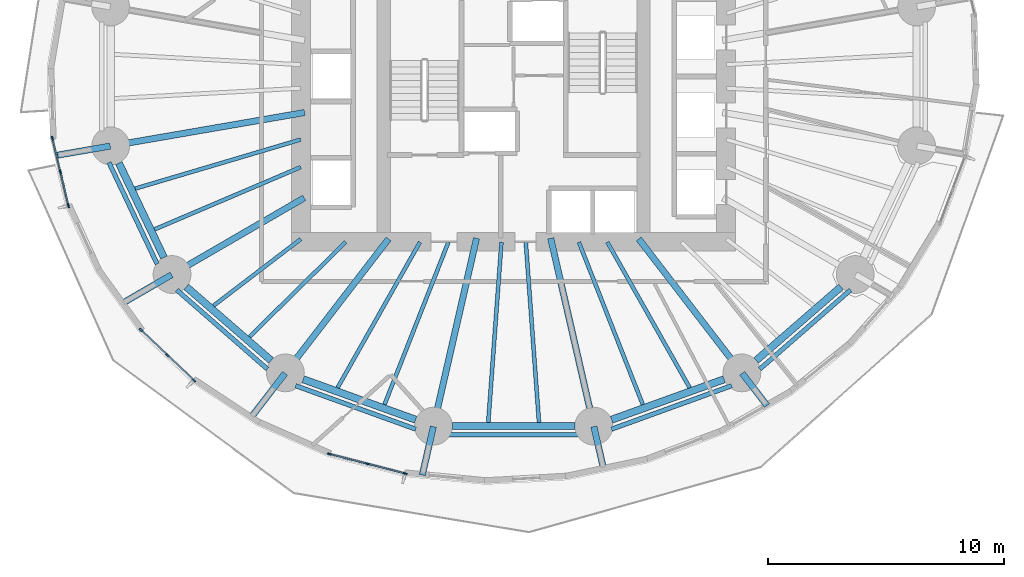
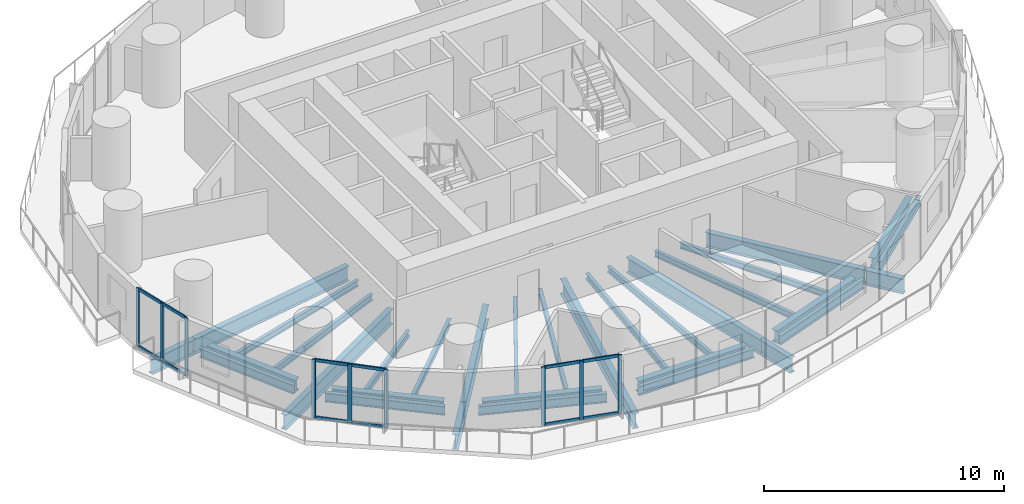
# One storey, part 2 of 14: 34 beams, 21 members, 3 elements without a shape of their own.
"""IFC4 building model written with IfcOpenShell, lengths in metres."""

import ifcopenshell
import ifcopenshell.guid

model = None  # the IFC model being written
_history = None  # IfcOwnerHistory: only IFC2X3 demands one
_inside = {}  # id of a spatial element -> (the spatial element, [elements in it])
_under = {}  # id of a project, library or spatial element -> (it, [spatial elements below it])
_declared = {}  # id of a project -> (the project, [libraries it declares])
_typed = {}  # id of a type object -> (the type object, [elements of that type])
_made_of = {}  # id of a material, layer set ... -> (it, [elements and type objects made of it])


def new_model(schema):
    """Start an empty IFC model of exactly this schema.

    Asked for "IFC4X3", IfcOpenShell would pick the latest addendum, in which some entities
    have other attributes; the version numbers below select the first issue.
    IFC2X3 requires an IfcOwnerHistory on every rooted entity: one is made here for all.
    """
    global model, _history
    if schema == "IFC4X3":
        model = ifcopenshell.file(schema_version=(4, 3, 0, 0))
    else:
        model = ifcopenshell.file(schema=schema)
    _inside.clear()
    _under.clear()
    _declared.clear()
    _typed.clear()
    _made_of.clear()
    _history = None
    if model.schema == "IFC2X3":
        org = make("IfcOrganization", Name="unknown")
        user = make(
            "IfcPersonAndOrganization",
            ThePerson=make("IfcPerson", FamilyName="unknown"),
            TheOrganization=org,
        )
        app = make(
            "IfcApplication",
            ApplicationDeveloper=org,
            Version="unknown",
            ApplicationFullName="unknown",
            ApplicationIdentifier="unknown",
        )
        _history = make(
            "IfcOwnerHistory",
            OwningUser=user,
            OwningApplication=app,
            ChangeAction="ADDED",
            CreationDate=0,
        )
    return model


def make(cls, **values):
    """One entity of the class cls with the attributes given. An attribute that is None is left unset."""
    return model.create_entity(
        cls, **{name: value for name, value in values.items() if value is not None}
    )


def rooted(cls, **values):
    """An entity with a GlobalId (a new one), such as an element, a storey or a relation."""
    return make(cls, GlobalId=ifcopenshell.guid.new(), OwnerHistory=_history, **values)


def si_unit(unit_type, name, prefix=None):
    """IfcSIUnit, for example si_unit("LENGTHUNIT", "METRE", prefix="MILLI")."""
    return make("IfcSIUnit", UnitType=unit_type, Prefix=prefix, Name=name)


def assignment(units):
    """IfcUnitAssignment: the units of a project."""
    return None if units is None else make("IfcUnitAssignment", Units=units)


def point(xyz):
    """IfcCartesianPoint."""
    return None if xyz is None else make("IfcCartesianPoint", Coordinates=xyz)


def direction(xyz):
    """IfcDirection."""
    return None if xyz is None else make("IfcDirection", DirectionRatios=xyz)


def frame(location, z_axis=None, x_axis=None):
    """IfcAxis2Placement3D, a coordinate frame: its origin and axes. An axis left out is left unset."""
    return make(
        "IfcAxis2Placement3D",
        Location=point(location),
        Axis=direction(z_axis),
        RefDirection=direction(x_axis),
    )


def frame_2d(location, x_axis=None):
    """IfcAxis2Placement2D, a coordinate frame in the plane: its origin and x axis."""
    return make(
        "IfcAxis2Placement2D", Location=point(location), RefDirection=direction(x_axis)
    )


def origin():
    """The frame at (0, 0, 0) with its axes left unset."""
    return frame((0.0, 0.0, 0.0))


def origin_2d():
    """The frame at (0, 0) in the plane with its x axis left unset."""
    return frame_2d((0.0, 0.0))


def place(relative_to, where):
    """IfcLocalPlacement: puts the frame where relative to a parent placement (None: the world)."""
    return make(
        "IfcLocalPlacement", PlacementRelTo=relative_to, RelativePlacement=where
    )


def context(
    kind, dimensions, precision=None, world=None, true_north=None, identifier=None
):
    """IfcGeometricRepresentationContext, for example the 3D "Model" context."""
    return make(
        "IfcGeometricRepresentationContext",
        ContextIdentifier=identifier,
        ContextType=kind,
        CoordinateSpaceDimension=dimensions,
        Precision=precision,
        WorldCoordinateSystem=world,
        TrueNorth=true_north,
    )


def subcontext(parent, identifier, kind, view, scale=None):
    """IfcGeometricRepresentationSubContext, for example "Body" below "Model"."""
    return make(
        "IfcGeometricRepresentationSubContext",
        ContextIdentifier=identifier,
        ContextType=kind,
        ParentContext=parent,
        TargetScale=scale,
        TargetView=view,
    )


def project(units=None, contexts=None):
    """IfcProject with its units and contexts."""
    return rooted(
        "IfcProject",
        Name="project",
        RepresentationContexts=contexts,
        UnitsInContext=assignment(units),
    )


def spatial(cls, under=None, at=None, **own):
    """A site, building, storey or space (cls), placed at a placement, below another one or the project."""
    s = rooted(cls, ObjectPlacement=at, **own)
    if under is not None:
        _under.setdefault(under.id(), (under, []))[1].append(s)
    return s


def profile(cls, at=None, kind="AREA", **sizes):
    """A parametric profile (cls). Its sizes go by their IFC names, for example OverallWidth=200.0."""
    return make(cls, ProfileType=kind, Position=at, **sizes)


def rectangle(**sizes):
    """IfcRectangleProfileDef."""
    return profile("IfcRectangleProfileDef", **sizes)


def i_section(**sizes):
    """IfcIShapeProfileDef."""
    return profile("IfcIShapeProfileDef", **sizes)


def extrude(swept, where, along, depth):
    """IfcExtrudedAreaSolid: the profile swept, set in the frame where, extruded along a direction by depth."""
    return make(
        "IfcExtrudedAreaSolid",
        SweptArea=swept,
        Position=where,
        ExtrudedDirection=direction(along),
        Depth=depth,
    )


def shape(context_of_items, identifier, shape_type, items):
    """IfcShapeRepresentation: the items that make up one representation, for example the "Body"."""
    return make(
        "IfcShapeRepresentation",
        ContextOfItems=context_of_items,
        RepresentationIdentifier=identifier,
        RepresentationType=shape_type,
        Items=items,
    )


def material(Name=None, Category=None):
    """IfcMaterial."""
    return make("IfcMaterial", Name=Name, Category=Category)


def material_profile(
    of_material, cross_section, Name=None, Category=None, Priority=None
):
    """IfcMaterialProfile: a cross section and its material."""
    return make(
        "IfcMaterialProfile",
        Name=Name,
        Material=of_material,
        Profile=cross_section,
        Priority=Priority,
        Category=Category,
    )


def profile_set(profiles, Name=None, composite=None):
    """IfcMaterialProfileSet."""
    return make(
        "IfcMaterialProfileSet",
        Name=Name,
        MaterialProfiles=profiles,
        CompositeProfile=composite,
    )


def made_of(thing, what):
    """Note that an element or type object is made of a material, layer set ...; save() writes the relation."""
    if what is not None:
        _made_of.setdefault(what.id(), (what, []))[1].append(thing)
    return thing


def type_object(cls, material=None, **own):
    """A type object (cls), such as IfcWallType, which elements share."""
    return made_of(rooted(cls, **own), material)


def element(
    cls,
    number,
    at=None,
    inside=None,
    cuts=None,
    type_object=None,
    material=None,
    context=None,
    identifier="Body",
    shape_type=None,
    held_by="IfcProductDefinitionShape",
    body=None,
    shapes=None,
    **own,
):
    """One element of the class cls, such as IfcWall. Its Tag is "e" and its number.

    at: its placement. inside: the storey or other place that contains it. cuts: it is an
    opening in that element (IfcRelVoidsElement). A single representation is given by context,
    identifier, shape_type and body (its items); several are given by shapes. held_by: the class
    of the entity that holds the representations. save() writes the other relations.
    """
    e = rooted(cls, Tag="e%d" % number, ObjectPlacement=at, **own)
    if body is not None:
        shapes = [shape(context, identifier, shape_type, body)]
    if shapes is not None:
        e.Representation = make(held_by, Representations=shapes)
    if inside is not None:
        _inside.setdefault(inside.id(), (inside, []))[1].append(e)
    if cuts is not None:
        rooted(
            "IfcRelVoidsElement", RelatingBuildingElement=cuts, RelatedOpeningElement=e
        )
    if type_object is not None:
        _typed.setdefault(type_object.id(), (type_object, []))[1].append(e)
    return made_of(e, material)


def aggregate(whole, parts):
    """IfcRelAggregates: a whole, such as a stair, and the parts it consists of."""
    return rooted("IfcRelAggregates", RelatingObject=whole, RelatedObjects=parts)


def save(model, path):
    """Write the relations noted so far, then the file.

    IfcRelAggregates (storeys below a building ...), IfcRelContainedInSpatialStructure (elements
    in a storey), IfcRelDefinesByType, IfcRelAssociatesMaterial and IfcRelDeclares: one each for
    every whole, place, type object, material and project.
    """
    for whole, parts in _under.values():
        aggregate(whole, parts)
    for where, things in _inside.values():
        rooted(
            "IfcRelContainedInSpatialStructure",
            RelatedElements=things,
            RelatingStructure=where,
        )
    for kind, things in _typed.values():
        rooted("IfcRelDefinesByType", RelatedObjects=things, RelatingType=kind)
    for what, things in _made_of.values():
        rooted("IfcRelAssociatesMaterial", RelatedObjects=things, RelatingMaterial=what)
    for by, libraries in _declared.values():
        rooted("IfcRelDeclares", RelatingContext=by, RelatedDefinitions=libraries)
    model.write(path)


model = new_model("IFC4")

# Units and contexts
model_context = context("Model", 3, precision=1e-05, world=origin(), true_north=direction((0.0, 1.0)))
body_context = subcontext(model_context, "Body", "Model", "MODEL_VIEW")
ifc_project = project(units=[si_unit("LENGTHUNIT", "METRE"), si_unit("AREAUNIT", "SQUARE_METRE"), si_unit("VOLUMEUNIT", "CUBIC_METRE"), si_unit("PLANEANGLEUNIT", "RADIAN"), si_unit("MASSUNIT", "GRAM", prefix="KILO")], contexts=[model_context])

# Site, building, storey
site_placement = place(None, origin())
site = spatial("IfcSite", under=ifc_project, at=site_placement, CompositionType="ELEMENT")
building_placement = place(site_placement, origin())
building = spatial("IfcBuilding", under=site, at=building_placement, Name="Veldorim Arch Residences", CompositionType="ELEMENT")
storey_placement = place(building_placement, frame((0.0, 0.0, 37.60009765625)))
storey = spatial("IfcBuildingStorey", under=building, at=storey_placement, Name="L10", CompositionType="ELEMENT", Elevation=37.60009765625)

# Beams
ifc_material_1 = material(Name="Steel S355", Category="steel")
ifc_material_profile_1 = material_profile(ifc_material_1, i_section(OverallWidth=0.30712890625, OverallDepth=0.6201171875, WebThickness=0.01416015625, FlangeThickness=0.023681640625, at=origin_2d()), Name="UB610x305x179")
ifc_profile_set_1 = profile_set([ifc_material_profile_1], Name="Steel S355")
beam_type_1 = type_object("IfcBeamType", Name="Structural Steel Beam UB610x305x179", PredefinedType="BEAM", material=ifc_profile_set_1)
beam_1_placement = place(storey_placement, frame((15.27880859375, 20.33203125, -0.55029296875), z_axis=(0.430786696724, -0.902453778276, 0.0), x_axis=(0.902453778276, 0.430786696724, 0.0)))
element("IfcBeam", 1, at=beam_1_placement, inside=storey, type_object=beam_type_1, Name="L10 perimeter ring tie beam 09", PredefinedType="BEAM", context=body_context, shape_type="SweptSolid", body=[
    extrude(i_section(OverallWidth=0.30712890625, OverallDepth=0.6201171875, WebThickness=0.01416015625, FlangeThickness=0.023681640625, at=origin_2d()), origin(), (0.0, 0.0, 1.0), 4.431396484375),
])
beam_2_placement = place(storey_placement, frame((18.13671875, 15.086669921875, -0.55029296875), z_axis=(0.755235029424, -0.655454079499, 0.0), x_axis=(0.655454079499, 0.755235029424, 0.0)))
element("IfcBeam", 2, at=beam_2_placement, inside=storey, type_object=beam_type_1, Name="L10 perimeter ring tie beam 10", PredefinedType="BEAM", context=body_context, shape_type="SweptSolid", body=[
    extrude(i_section(OverallWidth=0.30712890625, OverallDepth=0.6201171875, WebThickness=0.01416015625, FlangeThickness=0.023681640625, at=origin_2d()), origin(), (0.0, 0.0, 1.0), 4.756591796875),
])
beam_3_placement = place(storey_placement, frame((23.0859375, 11.17431640625, -0.55029296875), z_axis=(0.94103540046, -0.338308106732, 0.0), x_axis=(0.338308106732, 0.94103540046, 0.0)))
element("IfcBeam", 3, at=beam_3_placement, inside=storey, type_object=beam_type_1, Name="L10 perimeter ring tie beam 11", PredefinedType="BEAM", context=body_context, shape_type="SweptSolid", body=[
    extrude(i_section(OverallWidth=0.30712890625, OverallDepth=0.6201171875, WebThickness=0.01416015625, FlangeThickness=0.023681640625, at=origin_2d()), origin(), (0.0, 0.0, 1.0), 5.065185546875),
])
beam_4_placement = place(storey_placement, frame((29.405517578125, 9.190185546875, -0.55029296875), z_axis=(1.0, 0.0, 0.0), x_axis=(0.0, 1.0, 0.0)))
element("IfcBeam", 4, at=beam_4_placement, inside=storey, type_object=beam_type_1, Name="L10 perimeter ring tie beam 12", PredefinedType="BEAM", context=body_context, shape_type="SweptSolid", body=[
    extrude(i_section(OverallWidth=0.30712890625, OverallDepth=0.6201171875, WebThickness=0.01416015625, FlangeThickness=0.023681640625, at=origin_2d()), origin(), (0.0, 0.0, 1.0), 5.18896484375),
])
beam_5_placement = place(storey_placement, frame((36.1474609375, 9.460693359375, -0.55029296875), z_axis=(0.94103540046, 0.338308106732, 0.0), x_axis=(-0.338308106732, 0.94103540046, 0.0)))
element("IfcBeam", 5, at=beam_5_placement, inside=storey, type_object=beam_type_1, Name="L10 perimeter ring tie beam 13", PredefinedType="BEAM", context=body_context, shape_type="SweptSolid", body=[
    extrude(i_section(OverallWidth=0.30712890625, OverallDepth=0.6201171875, WebThickness=0.01416015625, FlangeThickness=0.023681640625, at=origin_2d()), origin(), (0.0, 0.0, 1.0), 5.065185546875),
])
beam_6_placement = place(storey_placement, frame((42.27099609375, 11.968994140625, -0.55029296875), z_axis=(0.755235029424, 0.655454079499, 0.0), x_axis=(-0.655454079499, 0.755235029424, 0.0)))
element("IfcBeam", 6, at=beam_6_placement, inside=storey, type_object=beam_type_1, Name="L10 perimeter ring tie beam 14", PredefinedType="BEAM", context=body_context, shape_type="SweptSolid", body=[
    extrude(i_section(OverallWidth=0.30712890625, OverallDepth=0.6201171875, WebThickness=0.01416015625, FlangeThickness=0.023681640625, at=origin_2d()), origin(), (0.0, 0.0, 1.0), 4.756591796875),
])
ifc_material_2 = material(Name="Steel S355", Category="steel")
ifc_material_profile_2 = material_profile(ifc_material_2, i_section(OverallWidth=0.26806640625, OverallDepth=0.769775390625, WebThickness=0.015625, FlangeThickness=0.025390625, at=origin_2d()), Name="UB762x267x197")
ifc_profile_set_2 = profile_set([ifc_material_profile_2], Name="Steel S355")
beam_type_2 = type_object("IfcBeamType", Name="Structural Steel GIRDER UB762x267x197", PredefinedType="USERDEFINED", material=ifc_profile_set_2)
beam_7_placement = place(storey_placement, frame((23.147705078125, 22.471923828125, -0.625), z_axis=(-0.985427548249, -0.170095699979, 0.0), x_axis=(0.170095699979, -0.985427548249, 0.0)))
element("IfcBeam", 7, at=beam_7_placement, inside=storey, type_object=beam_type_2, Name="L10 radial floor girder 09", ObjectType="GIRDER", PredefinedType="USERDEFINED", context=body_context, shape_type="SweptSolid", body=[
    extrude(i_section(OverallWidth=0.26806640625, OverallDepth=0.769775390625, WebThickness=0.015625, FlangeThickness=0.025390625, at=origin_2d()), origin(), (0.0, 0.0, 1.0), 8.314697265625),
])
beam_8_placement = place(storey_placement, frame((14.91455078125, 21.05078125, -0.625), z_axis=(-0.985409805025, -0.170198461099, 0.0), x_axis=(0.170198461099, -0.985409805025, 0.0)))
element("IfcBeam", 8, at=beam_8_placement, inside=storey, type_object=beam_type_2, Name="L10 radial edge cantilever girder 09", ObjectType="GIRDER", PredefinedType="USERDEFINED", context=body_context, shape_type="SweptSolid", body=[
    extrude(i_section(OverallWidth=0.26806640625, OverallDepth=0.769775390625, WebThickness=0.015625, FlangeThickness=0.025390625, at=origin_2d()), origin(), (0.0, 0.0, 1.0), 2.29931640625),
])
beam_9_placement = place(storey_placement, frame((23.1298828125, 18.8564453125, -0.625), z_axis=(-0.865088348752, -0.501619525989, 0.0), x_axis=(0.501619525989, -0.865088348752, 0.0)))
element("IfcBeam", 9, at=beam_9_placement, inside=storey, type_object=beam_type_2, Name="L10 radial floor girder 10", ObjectType="GIRDER", PredefinedType="USERDEFINED", context=body_context, shape_type="SweptSolid", body=[
    extrude(i_section(OverallWidth=0.26806640625, OverallDepth=0.769775390625, WebThickness=0.015625, FlangeThickness=0.025390625, at=origin_2d()), origin(), (0.0, 0.0, 1.0), 6.4501953125),
])
beam_10_placement = place(storey_placement, frame((17.51513671875, 15.600830078125, -0.625), z_axis=(-0.865111527822, -0.501579549453, 0.0), x_axis=(0.501579549453, -0.865111527822, 0.0)))
element("IfcBeam", 10, at=beam_10_placement, inside=storey, type_object=beam_type_2, Name="L10 radial edge cantilever girder 10", ObjectType="GIRDER", PredefinedType="USERDEFINED", context=body_context, shape_type="SweptSolid", body=[
    extrude(i_section(OverallWidth=0.26806640625, OverallDepth=0.769775390625, WebThickness=0.015625, FlangeThickness=0.025390625, at=origin_2d()), origin(), (0.0, 0.0, 1.0), 2.426513671875),
])
beam_11_placement = place(storey_placement, frame((26.701904296875, 17.118896484375, -0.625), z_axis=(-0.610082439157, -0.792337943956, 0.0), x_axis=(0.792337943956, -0.610082439157, 0.0)))
element("IfcBeam", 11, at=beam_11_placement, inside=storey, type_object=beam_type_2, Name="L10 radial floor girder 11", ObjectType="GIRDER", PredefinedType="USERDEFINED", context=body_context, shape_type="SweptSolid", body=[
    extrude(i_section(OverallWidth=0.26806640625, OverallDepth=0.769775390625, WebThickness=0.015625, FlangeThickness=0.025390625, at=origin_2d()), origin(), (0.0, 0.0, 1.0), 7.14111328125),
])
beam_12_placement = place(storey_placement, frame((22.32080078125, 11.428955078125, -0.625), z_axis=(-0.610028458485, -0.792379504933, 0.0), x_axis=(0.792379504933, -0.610028458485, 0.0)))
element("IfcBeam", 12, at=beam_12_placement, inside=storey, type_object=beam_type_2, Name="L10 radial edge cantilever girder 11", ObjectType="GIRDER", PredefinedType="USERDEFINED", context=body_context, shape_type="SweptSolid", body=[
    extrude(i_section(OverallWidth=0.26806640625, OverallDepth=0.769775390625, WebThickness=0.015625, FlangeThickness=0.025390625, at=origin_2d()), origin(), (0.0, 0.0, 1.0), 2.37646484375),
])
beam_13_placement = place(storey_placement, frame((30.428955078125, 17.146240234375, -0.625), z_axis=(-0.223411766201, -0.974724157248, 0.0), x_axis=(0.974724157248, -0.223411766201, 0.0)))
element("IfcBeam", 13, at=beam_13_placement, inside=storey, type_object=beam_type_2, Name="L10 radial floor girder 12", ObjectType="GIRDER", PredefinedType="USERDEFINED", context=body_context, shape_type="SweptSolid", body=[
    extrude(i_section(OverallWidth=0.26806640625, OverallDepth=0.769775390625, WebThickness=0.015625, FlangeThickness=0.025390625, at=origin_2d()), origin(), (0.0, 0.0, 1.0), 8.142333984375),
])
beam_14_placement = place(storey_placement, frame((28.600830078125, 9.170654296875, -0.625), z_axis=(-0.22340367913, -0.974726010811, 0.0), x_axis=(0.974726010811, -0.22340367913, 0.0)))
element("IfcBeam", 14, at=beam_14_placement, inside=storey, type_object=beam_type_2, Name="L10 radial edge cantilever girder 12", ObjectType="GIRDER", PredefinedType="USERDEFINED", context=body_context, shape_type="SweptSolid", body=[
    extrude(i_section(OverallWidth=0.26806640625, OverallDepth=0.769775390625, WebThickness=0.015625, FlangeThickness=0.025390625, at=origin_2d()), origin(), (0.0, 0.0, 1.0), 2.10693359375),
])
beam_15_placement = place(storey_placement, frame((33.571044921875, 17.146240234375, -0.625), z_axis=(0.223411766201, -0.974724157248, 0.0), x_axis=(0.974724157248, 0.223411766201, 0.0)))
element("IfcBeam", 15, at=beam_15_placement, inside=storey, type_object=beam_type_2, Name="L10 radial floor girder 13", ObjectType="GIRDER", PredefinedType="USERDEFINED", context=body_context, shape_type="SweptSolid", body=[
    extrude(i_section(OverallWidth=0.26806640625, OverallDepth=0.769775390625, WebThickness=0.015625, FlangeThickness=0.025390625, at=origin_2d()), origin(), (0.0, 0.0, 1.0), 8.142333984375),
])
beam_16_placement = place(storey_placement, frame((35.399169921875, 9.170654296875, -0.625), z_axis=(0.223405058442, -0.974725694676, 0.0), x_axis=(0.974725694676, 0.223405058442, 0.0)))
element("IfcBeam", 16, at=beam_16_placement, inside=storey, type_object=beam_type_2, Name="L10 radial edge cantilever girder 13", ObjectType="GIRDER", PredefinedType="USERDEFINED", context=body_context, shape_type="SweptSolid", body=[
    extrude(i_section(OverallWidth=0.26806640625, OverallDepth=0.769775390625, WebThickness=0.015625, FlangeThickness=0.025390625, at=origin_2d()), origin(), (0.0, 0.0, 1.0), 1.839111328125),
])
beam_17_placement = place(storey_placement, frame((37.298095703125, 17.118896484375, -0.625), z_axis=(0.610082439157, -0.792337943956, 0.0), x_axis=(0.792337943956, 0.610082439157, 0.0)))
element("IfcBeam", 17, at=beam_17_placement, inside=storey, type_object=beam_type_2, Name="L10 radial floor girder 14", ObjectType="GIRDER", PredefinedType="USERDEFINED", context=body_context, shape_type="SweptSolid", body=[
    extrude(i_section(OverallWidth=0.26806640625, OverallDepth=0.769775390625, WebThickness=0.015625, FlangeThickness=0.025390625, at=origin_2d()), origin(), (0.0, 0.0, 1.0), 7.14111328125),
])
beam_18_placement = place(storey_placement, frame((41.67919921875, 11.428955078125, -0.625), z_axis=(0.610051931938, -0.792361432895, 0.0), x_axis=(0.792361432895, 0.610051931938, 0.0)))
element("IfcBeam", 18, at=beam_18_placement, inside=storey, type_object=beam_type_2, Name="L10 radial edge cantilever girder 14", ObjectType="GIRDER", PredefinedType="USERDEFINED", context=body_context, shape_type="SweptSolid", body=[
    extrude(i_section(OverallWidth=0.26806640625, OverallDepth=0.769775390625, WebThickness=0.015625, FlangeThickness=0.025390625, at=origin_2d()), origin(), (0.0, 0.0, 1.0), 1.728759765625),
])
ifc_material_3 = material(Name="Steel S355", Category="steel")
ifc_material_profile_3 = material_profile(ifc_material_3, i_section(OverallWidth=0.165771484375, OverallDepth=0.306640625, WebThickness=0.006591796875, FlangeThickness=0.01171875, at=origin_2d()), Name="UB305x165x46")
ifc_profile_set_3 = profile_set([ifc_material_profile_3], Name="Steel S355")
beam_type_3 = type_object("IfcBeamType", Name="Structural Steel Joist UB305x165x46", PredefinedType="JOIST", material=ifc_profile_set_3)
beam_19_placement = place(storey_placement, frame((22.980712890625, 21.32666015625, -0.393310546875), z_axis=(-0.958766778771, -0.284194060325, 0.0), x_axis=(0.284194060325, -0.958766778771, 0.0)))
element("IfcBeam", 19, at=beam_19_placement, inside=storey, type_object=beam_type_3, Name="L10 secondary radial floor joist 09-1", PredefinedType="JOIST", context=body_context, shape_type="SweptSolid", body=[
    extrude(i_section(OverallWidth=0.165771484375, OverallDepth=0.306640625, WebThickness=0.006591796875, FlangeThickness=0.01171875, at=origin_2d()), origin(), (0.0, 0.0, 1.0), 7.3115234375),
])
beam_20_placement = place(storey_placement, frame((22.981689453125, 20.15869140625, -0.393310546875), z_axis=(-0.920032948668, -0.391841005213, 0.0), x_axis=(0.391841005213, -0.920032948668, 0.0)))
element("IfcBeam", 20, at=beam_20_placement, inside=storey, type_object=beam_type_3, Name="L10 secondary radial floor joist 09-2", PredefinedType="JOIST", context=body_context, shape_type="SweptSolid", body=[
    extrude(i_section(OverallWidth=0.165771484375, OverallDepth=0.306640625, WebThickness=0.006591796875, FlangeThickness=0.01171875, at=origin_2d()), origin(), (0.0, 0.0, 1.0), 6.723388671875),
])
beam_21_placement = place(storey_placement, frame((22.984130859375, 17.1123046875, -0.393310546875), z_axis=(-0.794666431166, -0.607046343517, 0.0), x_axis=(0.607046343517, -0.794666431166, 0.0)))
element("IfcBeam", 21, at=beam_21_placement, inside=storey, type_object=beam_type_3, Name="L10 secondary radial floor joist 10-1", PredefinedType="JOIST", context=body_context, shape_type="SweptSolid", body=[
    extrude(i_section(OverallWidth=0.165771484375, OverallDepth=0.306640625, WebThickness=0.006591796875, FlangeThickness=0.01171875, at=origin_2d()), origin(), (0.0, 0.0, 1.0), 4.646728515625),
])
beam_22_placement = place(storey_placement, frame((24.885009765625, 16.986083984375, -0.393310546875), z_axis=(-0.712129078446, -0.702048556463, 0.0), x_axis=(0.702048556463, -0.712129078446, 0.0)))
element("IfcBeam", 22, at=beam_22_placement, inside=storey, type_object=beam_type_3, Name="L10 secondary radial floor joist 10-2", PredefinedType="JOIST", context=body_context, shape_type="SweptSolid", body=[
    extrude(i_section(OverallWidth=0.165771484375, OverallDepth=0.306640625, WebThickness=0.006591796875, FlangeThickness=0.01171875, at=origin_2d()), origin(), (0.0, 0.0, 1.0), 5.715576171875),
])
beam_23_placement = place(storey_placement, frame((28.03125, 16.982666015625, -0.393310546875), z_axis=(-0.492292335352, -0.870429926274, 0.0), x_axis=(0.870429926274, -0.492292335352, 0.0)))
element("IfcBeam", 23, at=beam_23_placement, inside=storey, type_object=beam_type_3, Name="L10 secondary radial floor joist 11-1", PredefinedType="JOIST", context=body_context, shape_type="SweptSolid", body=[
    extrude(i_section(OverallWidth=0.165771484375, OverallDepth=0.306640625, WebThickness=0.006591796875, FlangeThickness=0.01171875, at=origin_2d()), origin(), (0.0, 0.0, 1.0), 7.083251953125),
])
beam_24_placement = place(storey_placement, frame((29.237548828125, 16.9814453125, -0.393310546875), z_axis=(-0.366229833858, -0.930524426758, 0.0), x_axis=(0.930524426758, -0.366229833858, 0.0)))
element("IfcBeam", 24, at=beam_24_placement, inside=storey, type_object=beam_type_3, Name="L10 secondary radial floor joist 11-2", PredefinedType="JOIST", context=body_context, shape_type="SweptSolid", body=[
    extrude(i_section(OverallWidth=0.165771484375, OverallDepth=0.306640625, WebThickness=0.006591796875, FlangeThickness=0.01171875, at=origin_2d()), origin(), (0.0, 0.0, 1.0), 7.3896484375),
])
for number, where, z_axis, x_axis, name in (
    (25, (31.485107421875, 16.97998046875, -0.393310546875), (-0.073167620373, -0.997319657547, 0.0), (0.997319657547, -0.073167620373, 0.0), "L10 secondary radial floor joist 12-1"),
    (26, (32.514892578125, 16.97998046875, -0.393310546875), (0.073167620373, -0.997319657547, 0.0), (0.997319657547, 0.073167620373, 0.0), "L10 secondary radial floor joist 12-2"),
):
    element("IfcBeam", number, at=place(storey_placement, frame(where, z_axis=z_axis, x_axis=x_axis)), inside=storey, type_object=beam_type_3, Name=name, PredefinedType="JOIST", context=body_context, shape_type="SweptSolid", body=[
        extrude(i_section(OverallWidth=0.165771484375, OverallDepth=0.306640625, WebThickness=0.006591796875, FlangeThickness=0.01171875, at=origin_2d()), origin(), (0.0, 0.0, 1.0), 7.651123046875),
    ])
beam_25_placement = place(storey_placement, frame((34.762451171875, 16.9814453125, -0.393310546875), z_axis=(0.366229833858, -0.930524426758, 0.0), x_axis=(0.930524426758, 0.366229833858, 0.0)))
element("IfcBeam", 27, at=beam_25_placement, inside=storey, type_object=beam_type_3, Name="L10 secondary radial floor joist 13-1", PredefinedType="JOIST", context=body_context, shape_type="SweptSolid", body=[
    extrude(i_section(OverallWidth=0.165771484375, OverallDepth=0.306640625, WebThickness=0.006591796875, FlangeThickness=0.01171875, at=origin_2d()), origin(), (0.0, 0.0, 1.0), 7.3896484375),
])
beam_26_placement = place(storey_placement, frame((35.96875, 16.982666015625, -0.393310546875), z_axis=(0.492292335352, -0.870429926274, 0.0), x_axis=(0.870429926274, 0.492292335352, 0.0)))
element("IfcBeam", 28, at=beam_26_placement, inside=storey, type_object=beam_type_3, Name="L10 secondary radial floor joist 13-2", PredefinedType="JOIST", context=body_context, shape_type="SweptSolid", body=[
    extrude(i_section(OverallWidth=0.165771484375, OverallDepth=0.306640625, WebThickness=0.006591796875, FlangeThickness=0.01171875, at=origin_2d()), origin(), (0.0, 0.0, 1.0), 7.083251953125),
])
ifc_material_4 = material(Name="Steel S355", Category="steel")
ifc_material_profile_4 = material_profile(ifc_material_4, i_section(OverallWidth=0.19140625, OverallDepth=0.4599609375, WebThickness=0.010009765625, FlangeThickness=0.01611328125, at=origin_2d()), Name="UB457x191x82")
ifc_profile_set_4 = profile_set([ifc_material_profile_4], Name="Steel S355")
beam_type_4 = type_object("IfcBeamType", Name="Structural Steel Spandrel UB457x191x82", PredefinedType="SPANDREL", material=ifc_profile_set_4)
beam_27_placement = place(storey_placement, frame((14.86181640625, 20.353515625, -0.489990234375), z_axis=(0.42886940858, -0.903366498374, 0.0), x_axis=(0.903366498374, 0.42886940858, 0.0)))
element("IfcBeam", 29, at=beam_27_placement, inside=storey, type_object=beam_type_4, Name="L10 perimeter chord spandrel beam 09", PredefinedType="SPANDREL", context=body_context, shape_type="SweptSolid", body=[
    extrude(i_section(OverallWidth=0.19140625, OverallDepth=0.4599609375, WebThickness=0.010009765625, FlangeThickness=0.01611328125, at=origin_2d()), origin(), (0.0, 0.0, 1.0), 4.7568359375),
])
beam_28_placement = place(storey_placement, frame((17.73388671875, 14.957275390625, -0.489990234375), z_axis=(0.753250231024, -0.65773405679, 0.0), x_axis=(0.65773405679, 0.753250231024, 0.0)))
element("IfcBeam", 30, at=beam_28_placement, inside=storey, type_object=beam_type_4, Name="L10 perimeter chord spandrel beam 10", PredefinedType="SPANDREL", context=body_context, shape_type="SweptSolid", body=[
    extrude(i_section(OverallWidth=0.19140625, OverallDepth=0.4599609375, WebThickness=0.010009765625, FlangeThickness=0.01611328125, at=origin_2d()), origin(), (0.0, 0.0, 1.0), 5.09423828125),
])
beam_29_placement = place(storey_placement, frame((22.76318359375, 10.904052734375, -0.489990234375), z_axis=(0.940271320222, -0.340425974873, 0.0), x_axis=(0.340425974873, 0.940271320222, 0.0)))
element("IfcBeam", 31, at=beam_29_placement, inside=storey, type_object=beam_type_4, Name="L10 perimeter chord spandrel beam 11", PredefinedType="SPANDREL", context=body_context, shape_type="SweptSolid", body=[
    extrude(i_section(OverallWidth=0.19140625, OverallDepth=0.4599609375, WebThickness=0.010009765625, FlangeThickness=0.01611328125, at=origin_2d()), origin(), (0.0, 0.0, 1.0), 5.4189453125),
])
beam_30_placement = place(storey_placement, frame((29.224609375, 8.819580078125, -0.489990234375), z_axis=(1.0, 0.0, 0.0), x_axis=(0.0, 1.0, 0.0)))
element("IfcBeam", 32, at=beam_30_placement, inside=storey, type_object=beam_type_4, Name="L10 perimeter chord spandrel beam 12", PredefinedType="SPANDREL", context=body_context, shape_type="SweptSolid", body=[
    extrude(i_section(OverallWidth=0.19140625, OverallDepth=0.4599609375, WebThickness=0.010009765625, FlangeThickness=0.01611328125, at=origin_2d()), origin(), (0.0, 0.0, 1.0), 5.55078125),
])
beam_31_placement = place(storey_placement, frame((36.1416015625, 9.059326171875, -0.489990234375), z_axis=(0.940271320222, 0.340425974873, 0.0), x_axis=(-0.340425974873, 0.940271320222, 0.0)))
element("IfcBeam", 33, at=beam_31_placement, inside=storey, type_object=beam_type_4, Name="L10 perimeter chord spandrel beam 13", PredefinedType="SPANDREL", context=body_context, shape_type="SweptSolid", body=[
    extrude(i_section(OverallWidth=0.19140625, OverallDepth=0.4599609375, WebThickness=0.010009765625, FlangeThickness=0.01611328125, at=origin_2d()), origin(), (0.0, 0.0, 1.0), 5.4189453125),
])
beam_32_placement = place(storey_placement, frame((42.428955078125, 11.606689453125, -0.489990234375), z_axis=(0.753250231024, 0.65773405679, 0.0), x_axis=(-0.65773405679, 0.753250231024, 0.0)))
element("IfcBeam", 34, at=beam_32_placement, inside=storey, type_object=beam_type_4, Name="L10 perimeter chord spandrel beam 14", PredefinedType="SPANDREL", context=body_context, shape_type="SweptSolid", body=[
    extrude(i_section(OverallWidth=0.19140625, OverallDepth=0.4599609375, WebThickness=0.010009765625, FlangeThickness=0.01611328125, at=origin_2d()), origin(), (0.0, 0.0, 1.0), 5.09423828125),
])

# Curtain wall, members
ifc_material_5 = material(Name="Aluminium", Category="aluminium")
curtain_wall_type = type_object("IfcCurtainWallType", Name="Zone 1 Acoustic Low-E Unitised Curtain Wall", PredefinedType="NOTDEFINED", material=ifc_material_5)
curtain_wall_1_placement = place(storey_placement, origin())
curtain_wall_1 = element("IfcCurtainWall", 35, at=curtain_wall_1_placement, inside=storey, type_object=curtain_wall_type, Name="L10 unitised curtain wall bay 19", PredefinedType="NOTDEFINED")
ifc_material_6 = material(Name="Aluminium", Category="aluminium")
ifc_material_profile_5 = material_profile(ifc_material_6, rectangle(XDim=0.06494140625, YDim=0.175048828125, at=origin_2d()), Name="ALU_MUL_65x175")
ifc_profile_set_5 = profile_set([ifc_material_profile_5], Name="Aluminium")
member_type_1 = type_object("IfcMemberType", Name="Zone 1 Acoustic Low-E Unitised Curtain Wall Mullion 65x175", PredefinedType="MULLION", material=ifc_profile_set_5)
member_1_placement = place(storey_placement, frame((13.143310546875, 18.526123046875, 0.0), z_axis=(0.0, 0.0, 1.0), x_axis=(-0.973129808051, -0.230257196808, 0.0)))
member_1 = element("IfcMember", 36, at=member_1_placement, type_object=member_type_1, Name="CW-Z1 mullion 1", PredefinedType="MULLION", context=body_context, shape_type="SweptSolid", body=[
    extrude(rectangle(XDim=0.06494140625, YDim=0.175048828125, at=origin_2d()), origin(), (0.0, 0.0, 1.0), 2.9599609375),
])
member_2_placement = place(storey_placement, frame((12.805419921875, 19.955078125, 0.0), z_axis=(0.0, 0.0, 1.0), x_axis=(-0.973129808051, -0.230257196808, 0.0)))
member_2 = element("IfcMember", 37, at=member_2_placement, type_object=member_type_1, Name="CW-Z1 mullion 2", PredefinedType="MULLION", context=body_context, shape_type="SweptSolid", body=[
    extrude(rectangle(XDim=0.06494140625, YDim=0.175048828125, at=origin_2d()), origin(), (0.0, 0.0, 1.0), 2.9599609375),
])
member_3_placement = place(storey_placement, frame((12.46728515625, 21.384033203125, 0.0), z_axis=(0.0, 0.0, 1.0), x_axis=(-0.973129808051, -0.230257196808, 0.0)))
member_3 = element("IfcMember", 38, at=member_3_placement, type_object=member_type_1, Name="CW-Z1 mullion 3", PredefinedType="MULLION", context=body_context, shape_type="SweptSolid", body=[
    extrude(rectangle(XDim=0.06494140625, YDim=0.175048828125, at=origin_2d()), origin(), (0.0, 0.0, 1.0), 2.9599609375),
])

curtain_wall_2_placement = place(storey_placement, origin())
curtain_wall_2 = element("IfcCurtainWall", 39, at=curtain_wall_2_placement, inside=storey, type_object=curtain_wall_type, Name="L10 unitised curtain wall bay 22", PredefinedType="NOTDEFINED")
member_4_placement = place(storey_placement, frame((18.45703125, 11.132080078125, 0.0), z_axis=(0.0, 0.0, 1.0), x_axis=(-0.689245020922, -0.724528330111, 0.0)))
member_4 = element("IfcMember", 40, at=member_4_placement, type_object=member_type_1, Name="CW-Z1 mullion 1", PredefinedType="MULLION", context=body_context, shape_type="SweptSolid", body=[
    extrude(rectangle(XDim=0.06494140625, YDim=0.175048828125, at=origin_2d()), origin(), (0.0, 0.0, 1.0), 2.9599609375),
])
member_5_placement = place(storey_placement, frame((17.337890625, 12.197021484375, 0.0), z_axis=(0.0, 0.0, 1.0), x_axis=(-0.689245020922, -0.724528330111, 0.0)))
member_5 = element("IfcMember", 41, at=member_5_placement, type_object=member_type_1, Name="CW-Z1 mullion 2", PredefinedType="MULLION", context=body_context, shape_type="SweptSolid", body=[
    extrude(rectangle(XDim=0.06494140625, YDim=0.175048828125, at=origin_2d()), origin(), (0.0, 0.0, 1.0), 2.9599609375),
])
member_6_placement = place(storey_placement, frame((16.21875, 13.26171875, 0.0), z_axis=(0.0, 0.0, 1.0), x_axis=(-0.689245020922, -0.724528330111, 0.0)))
member_6 = element("IfcMember", 42, at=member_6_placement, type_object=member_type_1, Name="CW-Z1 mullion 3", PredefinedType="MULLION", context=body_context, shape_type="SweptSolid", body=[
    extrude(rectangle(XDim=0.06494140625, YDim=0.175048828125, at=origin_2d()), origin(), (0.0, 0.0, 1.0), 2.9599609375),
])

curtain_wall_3_placement = place(storey_placement, origin())
curtain_wall_3 = element("IfcCurtainWall", 43, at=curtain_wall_3_placement, inside=storey, type_object=curtain_wall_type, Name="L10 unitised curtain wall bay 25", PredefinedType="NOTDEFINED")
member_7_placement = place(storey_placement, frame((27.404296875, 7.18212890625, 0.0), z_axis=(0.0, 0.0, 1.0), x_axis=(-0.250259756916, -0.968178730436, 0.0)))
member_7 = element("IfcMember", 44, at=member_7_placement, type_object=member_type_1, Name="CW-Z1 mullion 1", PredefinedType="MULLION", context=body_context, shape_type="SweptSolid", body=[
    extrude(rectangle(XDim=0.06494140625, YDim=0.175048828125, at=origin_2d()), origin(), (0.0, 0.0, 1.0), 2.9599609375),
])
member_8_placement = place(storey_placement, frame((25.802001953125, 7.59619140625, 0.0), z_axis=(0.0, 0.0, 1.0), x_axis=(-0.250259756916, -0.968178730436, 0.0)))
member_8 = element("IfcMember", 45, at=member_8_placement, type_object=member_type_1, Name="CW-Z1 mullion 2", PredefinedType="MULLION", context=body_context, shape_type="SweptSolid", body=[
    extrude(rectangle(XDim=0.06494140625, YDim=0.175048828125, at=origin_2d()), origin(), (0.0, 0.0, 1.0), 2.9599609375),
])
member_9_placement = place(storey_placement, frame((24.19970703125, 8.01025390625, 0.0), z_axis=(0.0, 0.0, 1.0), x_axis=(-0.250259756916, -0.968178730436, 0.0)))
member_9 = element("IfcMember", 46, at=member_9_placement, type_object=member_type_1, Name="CW-Z1 mullion 3", PredefinedType="MULLION", context=body_context, shape_type="SweptSolid", body=[
    extrude(rectangle(XDim=0.06494140625, YDim=0.175048828125, at=origin_2d()), origin(), (0.0, 0.0, 1.0), 2.9599609375),
])

# Member
ifc_material_7 = material(Name="Aluminium", Category="aluminium")
ifc_material_profile_6 = material_profile(ifc_material_7, rectangle(XDim=0.06494140625, YDim=0.14990234375, at=origin_2d()), Name="ALU_TRN_65x150")
ifc_profile_set_6 = profile_set([ifc_material_profile_6], Name="Aluminium")
member_type_2 = type_object("IfcMemberType", Name="Zone 1 Acoustic Low-E Unitised Curtain Wall Transom 65x150", PredefinedType="USERDEFINED", material=ifc_profile_set_6)
member_10_placement = place(storey_placement, frame((13.135986328125, 18.557861328125, 0.032470703125), z_axis=(-0.230319002626, 0.97311518179, 0.0), x_axis=(-0.97311518179, -0.230319002626, 0.0)))
member_10 = element("IfcMember", 47, at=member_10_placement, type_object=member_type_2, Name="CW-Z1 transom 1.1", ObjectType="TRANSOM", PredefinedType="USERDEFINED", context=body_context, shape_type="SweptSolid", body=[
    extrude(rectangle(XDim=0.06494140625, YDim=0.14990234375, at=origin_2d()), origin(), (0.0, 0.0, 1.0), 1.403564453125),
])

member_11_placement = place(storey_placement, frame((13.135986328125, 18.557861328125, 2.927490234375), z_axis=(-0.230319002626, 0.97311518179, 0.0), x_axis=(-0.97311518179, -0.230319002626, 0.0)))
member_11 = element("IfcMember", 48, at=member_11_placement, type_object=member_type_2, Name="CW-Z1 transom 1.2", ObjectType="TRANSOM", PredefinedType="USERDEFINED", context=body_context, shape_type="SweptSolid", body=[
    extrude(rectangle(XDim=0.06494140625, YDim=0.14990234375, at=origin_2d()), origin(), (0.0, 0.0, 1.0), 1.403564453125),
])

member_12_placement = place(storey_placement, frame((12.7978515625, 19.98681640625, 0.032470703125), z_axis=(-0.230319002626, 0.97311518179, 0.0), x_axis=(-0.97311518179, -0.230319002626, 0.0)))
member_12 = element("IfcMember", 49, at=member_12_placement, type_object=member_type_2, Name="CW-Z1 transom 2.1", ObjectType="TRANSOM", PredefinedType="USERDEFINED", context=body_context, shape_type="SweptSolid", body=[
    extrude(rectangle(XDim=0.06494140625, YDim=0.14990234375, at=origin_2d()), origin(), (0.0, 0.0, 1.0), 1.403564453125),
])

member_13_placement = place(storey_placement, frame((12.7978515625, 19.98681640625, 2.927490234375), z_axis=(-0.230319002626, 0.97311518179, 0.0), x_axis=(-0.97311518179, -0.230319002626, 0.0)))
member_13 = element("IfcMember", 50, at=member_13_placement, type_object=member_type_2, Name="CW-Z1 transom 2.2", ObjectType="TRANSOM", PredefinedType="USERDEFINED", context=body_context, shape_type="SweptSolid", body=[
    extrude(rectangle(XDim=0.06494140625, YDim=0.14990234375, at=origin_2d()), origin(), (0.0, 0.0, 1.0), 1.403564453125),
])

aggregate(curtain_wall_1, [member_1, member_2, member_3, member_10, member_11, member_12, member_13])

member_14_placement = place(storey_placement, frame((18.43359375, 11.154541015625, 0.032470703125), z_axis=(-0.724459587436, 0.689317275406, 0.0), x_axis=(-0.689317275406, -0.724459587436, 0.0)))
member_14 = element("IfcMember", 51, at=member_14_placement, type_object=member_type_2, Name="CW-Z1 transom 1.1", ObjectType="TRANSOM", PredefinedType="USERDEFINED", context=body_context, shape_type="SweptSolid", body=[
    extrude(rectangle(XDim=0.06494140625, YDim=0.14990234375, at=origin_2d()), origin(), (0.0, 0.0, 1.0), 1.479736328125),
])

member_15_placement = place(storey_placement, frame((18.43359375, 11.154541015625, 2.927490234375), z_axis=(-0.724459587436, 0.689317275406, 0.0), x_axis=(-0.689317275406, -0.724459587436, 0.0)))
member_15 = element("IfcMember", 52, at=member_15_placement, type_object=member_type_2, Name="CW-Z1 transom 1.2", ObjectType="TRANSOM", PredefinedType="USERDEFINED", context=body_context, shape_type="SweptSolid", body=[
    extrude(rectangle(XDim=0.06494140625, YDim=0.14990234375, at=origin_2d()), origin(), (0.0, 0.0, 1.0), 1.479736328125),
])

member_16_placement = place(storey_placement, frame((17.314453125, 12.21923828125, 0.032470703125), z_axis=(-0.724537968506, 0.689234888984, 0.0), x_axis=(-0.689234888984, -0.724537968506, 0.0)))
member_16 = element("IfcMember", 53, at=member_16_placement, type_object=member_type_2, Name="CW-Z1 transom 2.1", ObjectType="TRANSOM", PredefinedType="USERDEFINED", context=body_context, shape_type="SweptSolid", body=[
    extrude(rectangle(XDim=0.06494140625, YDim=0.14990234375, at=origin_2d()), origin(), (0.0, 0.0, 1.0), 1.47998046875),
])

member_17_placement = place(storey_placement, frame((17.314453125, 12.21923828125, 2.927490234375), z_axis=(-0.724537968506, 0.689234888984, 0.0), x_axis=(-0.689234888984, -0.724537968506, 0.0)))
member_17 = element("IfcMember", 54, at=member_17_placement, type_object=member_type_2, Name="CW-Z1 transom 2.2", ObjectType="TRANSOM", PredefinedType="USERDEFINED", context=body_context, shape_type="SweptSolid", body=[
    extrude(rectangle(XDim=0.06494140625, YDim=0.14990234375, at=origin_2d()), origin(), (0.0, 0.0, 1.0), 1.47998046875),
])

aggregate(curtain_wall_2, [member_4, member_5, member_6, member_14, member_15, member_16, member_17])

member_18_placement = place(storey_placement, frame((27.372802734375, 7.190185546875, 0.032470703125), z_axis=(-0.968169369906, 0.25029596716, 0.0), x_axis=(-0.25029596716, -0.968169369906, 0.0)))
member_18 = element("IfcMember", 55, at=member_18_placement, type_object=member_type_2, Name="CW-Z1 transom 1.1", ObjectType="TRANSOM", PredefinedType="USERDEFINED", context=body_context, shape_type="SweptSolid", body=[
    extrude(rectangle(XDim=0.06494140625, YDim=0.14990234375, at=origin_2d()), origin(), (0.0, 0.0, 1.0), 1.58984375),
])

member_19_placement = place(storey_placement, frame((27.372802734375, 7.190185546875, 2.927490234375), z_axis=(-0.968169369906, 0.25029596716, 0.0), x_axis=(-0.25029596716, -0.968169369906, 0.0)))
member_19 = element("IfcMember", 56, at=member_19_placement, type_object=member_type_2, Name="CW-Z1 transom 1.2", ObjectType="TRANSOM", PredefinedType="USERDEFINED", context=body_context, shape_type="SweptSolid", body=[
    extrude(rectangle(XDim=0.06494140625, YDim=0.14990234375, at=origin_2d()), origin(), (0.0, 0.0, 1.0), 1.58984375),
])

member_20_placement = place(storey_placement, frame((25.7705078125, 7.604248046875, 0.032470703125), z_axis=(-0.968169369906, 0.25029596716, 0.0), x_axis=(-0.25029596716, -0.968169369906, 0.0)))
member_20 = element("IfcMember", 57, at=member_20_placement, type_object=member_type_2, Name="CW-Z1 transom 2.1", ObjectType="TRANSOM", PredefinedType="USERDEFINED", context=body_context, shape_type="SweptSolid", body=[
    extrude(rectangle(XDim=0.06494140625, YDim=0.14990234375, at=origin_2d()), origin(), (0.0, 0.0, 1.0), 1.58984375),
])

member_21_placement = place(storey_placement, frame((25.7705078125, 7.604248046875, 2.927490234375), z_axis=(-0.968169369906, 0.25029596716, 0.0), x_axis=(-0.25029596716, -0.968169369906, 0.0)))
member_21 = element("IfcMember", 58, at=member_21_placement, type_object=member_type_2, Name="CW-Z1 transom 2.2", ObjectType="TRANSOM", PredefinedType="USERDEFINED", context=body_context, shape_type="SweptSolid", body=[
    extrude(rectangle(XDim=0.06494140625, YDim=0.14990234375, at=origin_2d()), origin(), (0.0, 0.0, 1.0), 1.58984375),
])

aggregate(curtain_wall_3, [member_7, member_8, member_9, member_18, member_19, member_20, member_21])

save(model, "model.ifc")
